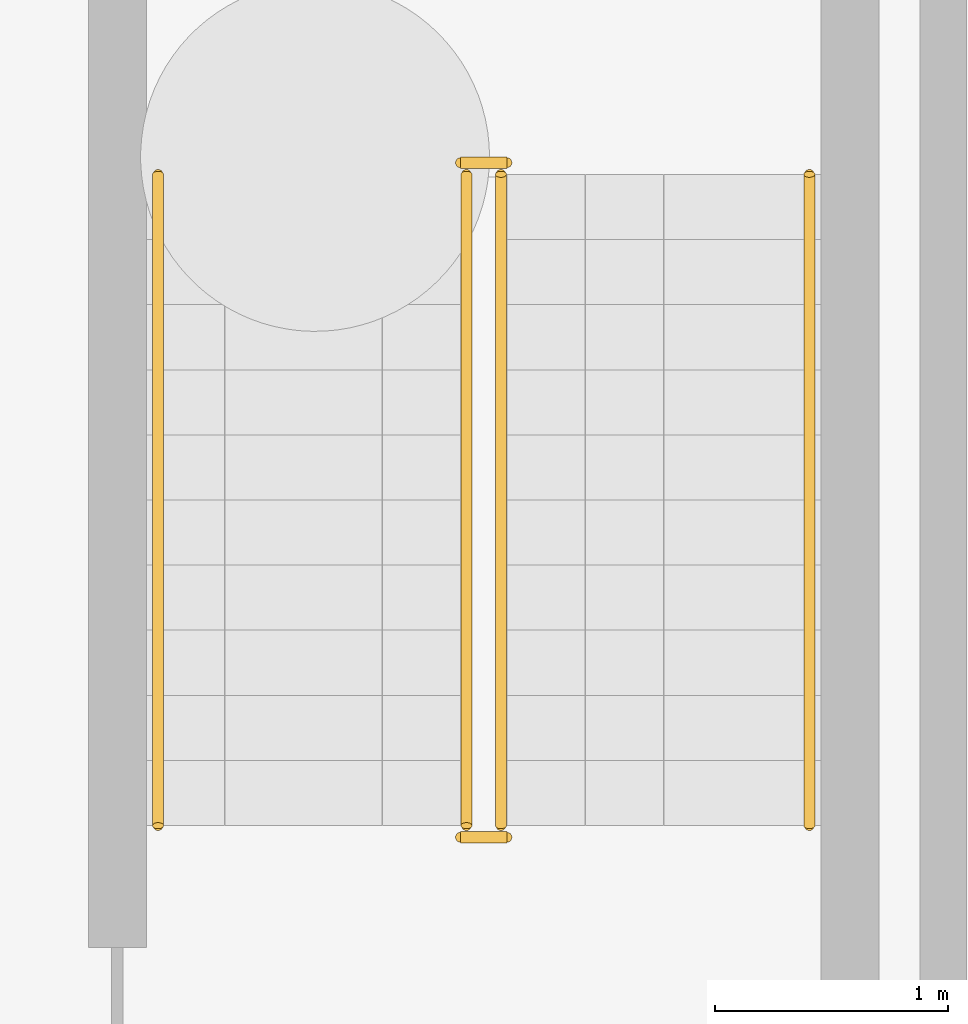
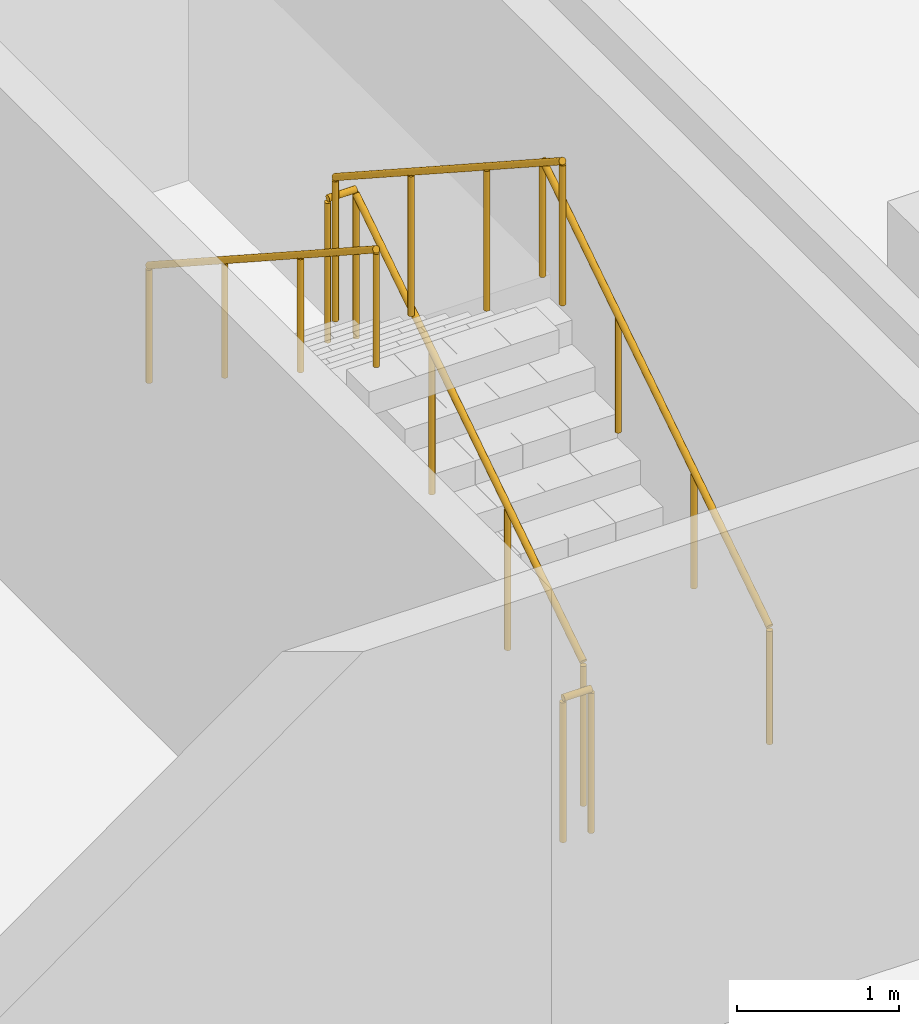
# One storey, part 20 of 20: 6 railings.
"""IFC4 building model written with IfcOpenShell, lengths in metres."""

from ifc_helpers import new_model, si_unit, direction, frame, origin, origin_2d, place, context, subcontext, project, spatial, circle, extrude, material, type_object, element, save


model = new_model("IFC4")

# Units and contexts
model_context = context("Model", 3, precision=1e-05, world=origin(), true_north=direction((0.0, 1.0)))
body_context = subcontext(model_context, "Body", "Model", "MODEL_VIEW")
ifc_project = project(units=[si_unit("LENGTHUNIT", "METRE"), si_unit("AREAUNIT", "SQUARE_METRE"), si_unit("VOLUMEUNIT", "CUBIC_METRE"), si_unit("PLANEANGLEUNIT", "RADIAN"), si_unit("MASSUNIT", "GRAM", prefix="KILO")], contexts=[model_context])

# Site, building, storey
site_placement = place(None, origin())
site = spatial("IfcSite", under=ifc_project, at=site_placement, CompositionType="ELEMENT")
building_placement = place(site_placement, origin())
building = spatial("IfcBuilding", under=site, at=building_placement, Name="Cantera Rosa Tower", CompositionType="ELEMENT")
storey_placement = place(building_placement, frame((0.0, 0.0, -17.0)))
storey = spatial("IfcBuildingStorey", under=building, at=storey_placement, Name="B4", CompositionType="ELEMENT", Elevation=-17.0)

# Railings
ifc_material_1 = material(Name="Steel S355J2 (EN 10025-2)", Category="steel")
railing_type_1 = type_object("IfcRailingType", Name="STAIR GUARD 1100", PredefinedType="GUARDRAIL", material=ifc_material_1)
railing_1_placement = place(storey_placement, frame((30.799072265625, 21.125, 0.181884765625)))
element("IfcRailing", 1, at=railing_1_placement, inside=storey, type_object=railing_type_1, Name="B4 ST-NE stair guard 1", PredefinedType="GUARDRAIL", context=body_context, shape_type="SweptSolid", body=[
    extrude(circle(Radius=0.02392578125, at=origin_2d()), frame((0.0, 0.0, 1.076171875), z_axis=(0.0, 0.838705829183, 0.544584733623), x_axis=(-1.0, 0.0, 0.0)), (0.0, 0.0, 1.0), 3.338623046875),
    extrude(circle(Radius=0.02099609375, at=origin_2d()), origin(), (0.0, 0.0, 1.0), 1.052001953125),
    extrude(circle(Radius=0.02099609375, at=origin_2d()), frame((0.0, 0.933349609375, 0.60595703125)), (0.0, 0.0, 1.0), 1.052001953125),
    extrude(circle(Radius=0.02099609375, at=origin_2d()), frame((0.0, 1.86669921875, 1.212158203125)), (0.0, 0.0, 1.0), 1.052001953125),
    extrude(circle(Radius=0.02099609375, at=origin_2d()), frame((0.0, 2.800048828125, 1.818115234375)), (0.0, 0.0, 1.0), 1.052001953125),
])
railing_2_placement = place(storey_placement, frame((30.824951171875, 23.97509765625, 2.0)))
element("IfcRailing", 2, at=railing_2_placement, inside=storey, type_object=railing_type_1, Name="B4 ST-NE stair guard 2", PredefinedType="GUARDRAIL", context=body_context, shape_type="SweptSolid", body=[
    extrude(circle(Radius=0.02392578125, at=origin_2d()), frame((0.0, 0.0, 1.076171875), z_axis=(-1.0, 0.0, 0.0), x_axis=(0.0, -1.0, 0.0)), (0.0, 0.0, 1.0), 0.199951171875),
    extrude(circle(Radius=0.02099609375, at=origin_2d()), origin(), (0.0, 0.0, 1.0), 1.052001953125),
    extrude(circle(Radius=0.02099609375, at=origin_2d()), frame((-0.199951171875, 0.0, 0.0)), (0.0, 0.0, 1.0), 1.052001953125),
])
railing_3_placement = place(storey_placement, frame((30.65087890625, 23.925048828125, 2.181884765625)))
element("IfcRailing", 3, at=railing_3_placement, inside=storey, type_object=railing_type_1, Name="B4 ST-NE stair guard 3", PredefinedType="GUARDRAIL", context=body_context, shape_type="SweptSolid", body=[
    extrude(circle(Radius=0.02392578125, at=origin_2d()), frame((0.0, 0.0, 1.076171875), z_axis=(0.0, -0.838705829183, 0.544584733623), x_axis=(1.0, 0.0, 0.0)), (0.0, 0.0, 1.0), 3.338623046875),
    extrude(circle(Radius=0.02099609375, at=origin_2d()), origin(), (0.0, 0.0, 1.0), 1.052001953125),
    extrude(circle(Radius=0.02099609375, at=origin_2d()), frame((0.0, -0.933349609375, 0.60595703125)), (0.0, 0.0, 1.0), 1.052001953125),
    extrude(circle(Radius=0.02099609375, at=origin_2d()), frame((0.0, -1.86669921875, 1.212158203125)), (0.0, 0.0, 1.0), 1.052001953125),
    extrude(circle(Radius=0.02099609375, at=origin_2d()), frame((0.0, -2.800048828125, 1.818115234375)), (0.0, 0.0, 1.0), 1.052001953125),
])
railing_4_placement = place(storey_placement, frame((30.824951171875, 21.074951171875, 0.0)))
element("IfcRailing", 4, at=railing_4_placement, inside=storey, type_object=railing_type_1, Name="B4 ST-NE stair guard 4", PredefinedType="GUARDRAIL", context=body_context, shape_type="SweptSolid", body=[
    extrude(circle(Radius=0.02392578125, at=origin_2d()), frame((0.0, 0.0, 1.076171875), z_axis=(-1.0, 0.0, 0.0), x_axis=(0.0, -1.0, 0.0)), (0.0, 0.0, 1.0), 0.199951171875),
    extrude(circle(Radius=0.02099609375, at=origin_2d()), origin(), (0.0, 0.0, 1.0), 1.052001953125),
    extrude(circle(Radius=0.02099609375, at=origin_2d()), frame((-0.199951171875, 0.0, 0.0)), (0.0, 0.0, 1.0), 1.052001953125),
])
ifc_material_2 = material(Name="Steel S355J2 (EN 10025-2)", Category="steel")
railing_type_2 = type_object("IfcRailingType", Name="STAIR HANDRAIL 900", PredefinedType="HANDRAIL", material=ifc_material_2)
railing_5_placement = place(storey_placement, frame((32.125, 21.125, 0.181884765625)))
element("IfcRailing", 5, at=railing_5_placement, inside=storey, type_object=railing_type_2, Name="B4 ST-NE stair handrail 1", PredefinedType="HANDRAIL", context=body_context, shape_type="SweptSolid", body=[
    extrude(circle(Radius=0.02392578125, at=origin_2d()), frame((0.0, 0.0, 0.8759765625), z_axis=(0.0, 0.838705829183, 0.544584733623), x_axis=(-1.0, 0.0, 0.0)), (0.0, 0.0, 1.0), 3.338623046875),
    extrude(circle(Radius=0.02099609375, at=origin_2d()), origin(), (0.0, 0.0, 1.0), 0.851806640625),
    extrude(circle(Radius=0.02099609375, at=origin_2d()), frame((0.0, 0.933349609375, 0.60595703125)), (0.0, 0.0, 1.0), 0.851806640625),
    extrude(circle(Radius=0.02099609375, at=origin_2d()), frame((0.0, 1.86669921875, 1.212158203125)), (0.0, 0.0, 1.0), 0.851806640625),
    extrude(circle(Radius=0.02099609375, at=origin_2d()), frame((0.0, 2.800048828125, 1.818115234375)), (0.0, 0.0, 1.0), 0.851806640625),
])
railing_6_placement = place(storey_placement, frame((29.324951171875, 23.925048828125, 2.181884765625)))
element("IfcRailing", 6, at=railing_6_placement, inside=storey, type_object=railing_type_2, Name="B4 ST-NE stair handrail 2", PredefinedType="HANDRAIL", context=body_context, shape_type="SweptSolid", body=[
    extrude(circle(Radius=0.02392578125, at=origin_2d()), frame((0.0, 0.0, 0.8759765625), z_axis=(0.0, -0.838705829183, 0.544584733623), x_axis=(1.0, 0.0, 0.0)), (0.0, 0.0, 1.0), 3.338623046875),
    extrude(circle(Radius=0.02099609375, at=origin_2d()), origin(), (0.0, 0.0, 1.0), 0.851806640625),
    extrude(circle(Radius=0.02099609375, at=origin_2d()), frame((0.0, -0.933349609375, 0.60595703125)), (0.0, 0.0, 1.0), 0.851806640625),
    extrude(circle(Radius=0.02099609375, at=origin_2d()), frame((0.0, -1.86669921875, 1.212158203125)), (0.0, 0.0, 1.0), 0.851806640625),
    extrude(circle(Radius=0.02099609375, at=origin_2d()), frame((0.0, -2.800048828125, 1.818115234375)), (0.0, 0.0, 1.0), 0.851806640625),
])

save(model, "model.ifc")
